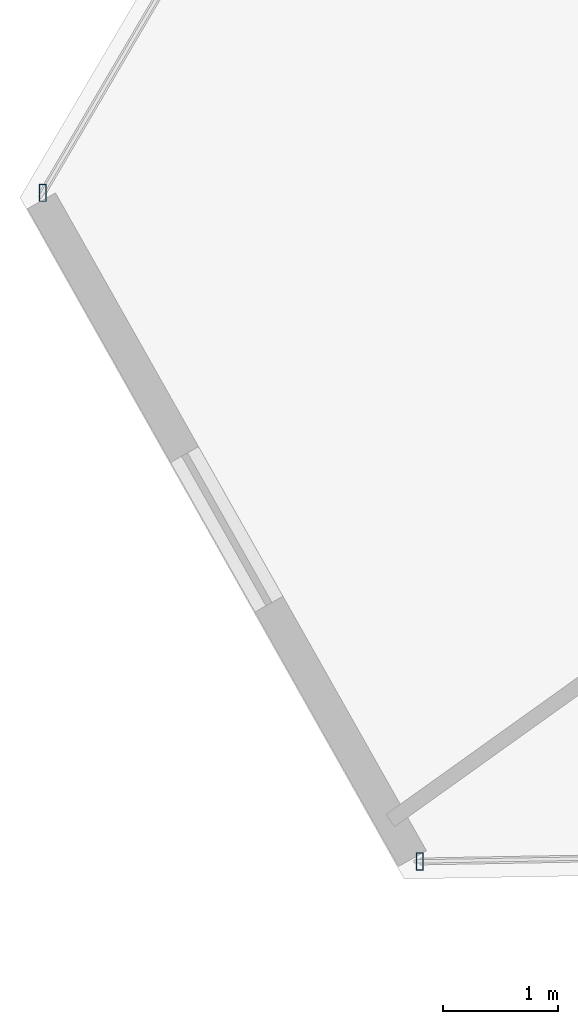
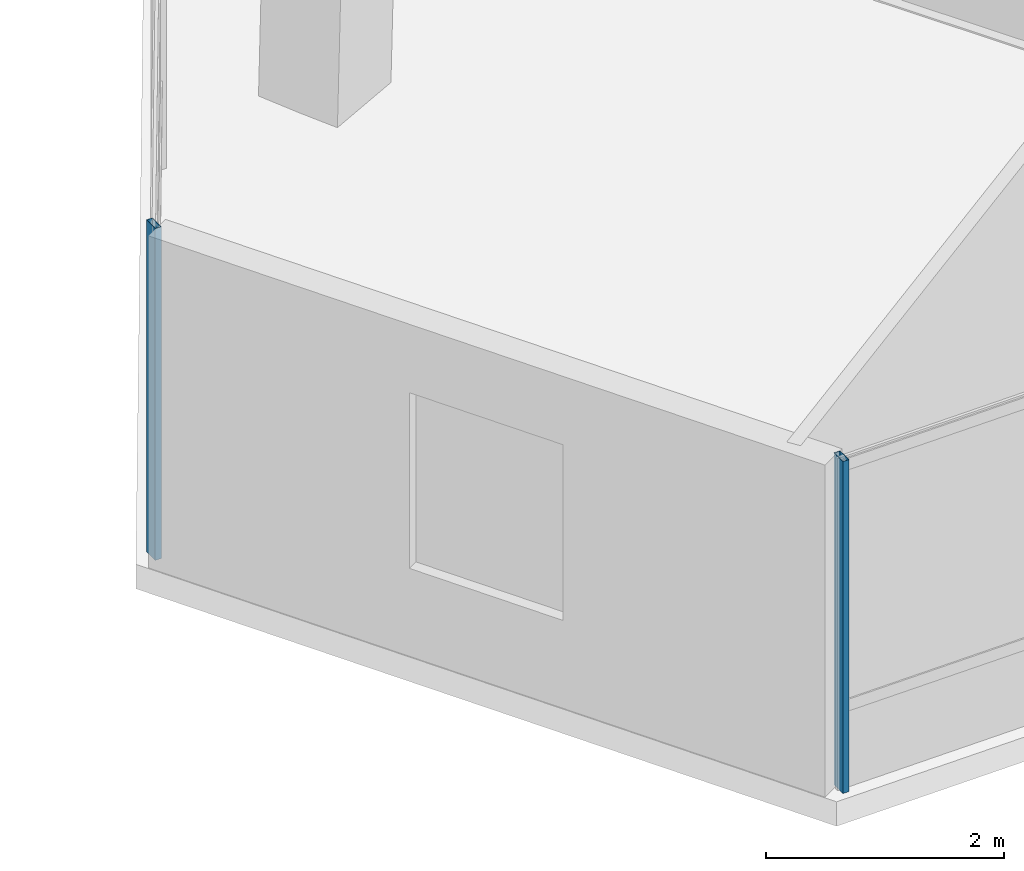
# One storey, part 3 of 42: 2 members, 2 elements without a shape of their own.
"""IFC4 building model written with IfcOpenShell, lengths in metres."""

from ifc_helpers import new_model, si_unit, direction, frame, origin, origin_2d, place, context, subcontext, project, spatial, hollow_rectangle, extrude, source, transform, mapped, material, material_profile, profile_set, type_object, type_shapes, element, aggregate, save


model = new_model("IFC4")

# Units and contexts
model_context = context("Model", 3, precision=1e-05, world=origin(), true_north=direction((0.0, 1.0)))
body_context = subcontext(model_context, "Body", "Model", "MODEL_VIEW")
ifc_project = project(units=[si_unit("LENGTHUNIT", "METRE"), si_unit("AREAUNIT", "SQUARE_METRE"), si_unit("VOLUMEUNIT", "CUBIC_METRE"), si_unit("PLANEANGLEUNIT", "RADIAN"), si_unit("MASSUNIT", "GRAM", prefix="KILO")], contexts=[model_context])

# Site, building, storey
site_placement = place(None, origin())
site = spatial("IfcSite", under=ifc_project, at=site_placement, CompositionType="ELEMENT")
building_placement = place(site_placement, origin())
building = spatial("IfcBuilding", under=site, at=building_placement, Name="Caelisora Broadcast Tower", CompositionType="ELEMENT")
storey_placement = place(building_placement, frame((0.0, 0.0, 184.050048828125)))
storey = spatial("IfcBuildingStorey", under=building, at=storey_placement, Name="L48", CompositionType="ELEMENT", Elevation=184.050048828125)

# Curtain wall, member
ifc_material_1 = material(Name="Unitised Aluminium and Low-E Glass Curtain Wall", Category="glass")
curtain_wall_type = type_object("IfcCurtainWallType", Name="CW-Z4", PredefinedType="NOTDEFINED", material=ifc_material_1)
curtain_wall_1_placement = place(storey_placement, origin())
curtain_wall_1 = element("IfcCurtainWall", 1, at=curtain_wall_1_placement, inside=storey, type_object=curtain_wall_type, Name="L48 curtain wall CW-Z4", PredefinedType="NOTDEFINED")
ifc_material_2 = material(Name="Aluminium 6063-T6 Anodised Terracotta Bronze", Category="aluminium")
ifc_material_profile = material_profile(ifc_material_2, hollow_rectangle(XDim=0.06005859375, YDim=0.14990234375, WallThickness=0.00341796875, at=origin_2d()), Name="Aluminium 6063-T6 Anodised Terracotta Bronze")
ifc_profile_set = profile_set([ifc_material_profile], Name="Aluminium 6063-T6 Anodised Terracotta Bronze")
member_type = type_object("IfcMemberType", Name="CWM-03", PredefinedType="MULLION", material=ifc_profile_set)
shared_shape = source(origin(), body_context, "Body", "SweptSolid", [
    extrude(hollow_rectangle(XDim=0.06005859375, YDim=0.14990234375, WallThickness=0.00341796875, at=origin_2d()), origin(), (0.0, 0.0, 1.0), 3.39990234375),
])
type_shapes(member_type, [shared_shape])
member_1_placement = place(storey_placement, frame((14.3330078125, 6.536865234375, 0.0), z_axis=(0.0, 0.0, 1.0), x_axis=(1.0, 0.0, 0.0)))
member_1 = element("IfcMember", 2, at=member_1_placement, type_object=member_type, Name="L48-CW-B07 mullion #3", PredefinedType="MULLION", context=body_context, shape_type="MappedRepresentation", body=[
    mapped(shared_shape, transform((0.0, 0.0, 0.0), scale=1.0)),
])
aggregate(curtain_wall_1, [member_1])

curtain_wall_2_placement = place(storey_placement, origin())
curtain_wall_2 = element("IfcCurtainWall", 3, at=curtain_wall_2_placement, inside=storey, type_object=curtain_wall_type, Name="L48 curtain wall CW-Z4", PredefinedType="NOTDEFINED")
member_2_placement = place(storey_placement, frame((11.040283203125, 12.3740234375, 0.0), z_axis=(0.0, 0.0, 1.0), x_axis=(1.0, 0.0, 0.0)))
member_2 = element("IfcMember", 4, at=member_2_placement, type_object=member_type, Name="L48-CW-B09 mullion #0", PredefinedType="MULLION", context=body_context, shape_type="MappedRepresentation", body=[
    mapped(shared_shape, transform((0.0, 0.0, 0.0), scale=1.0)),
])
aggregate(curtain_wall_2, [member_2])

save(model, "model.ifc")
